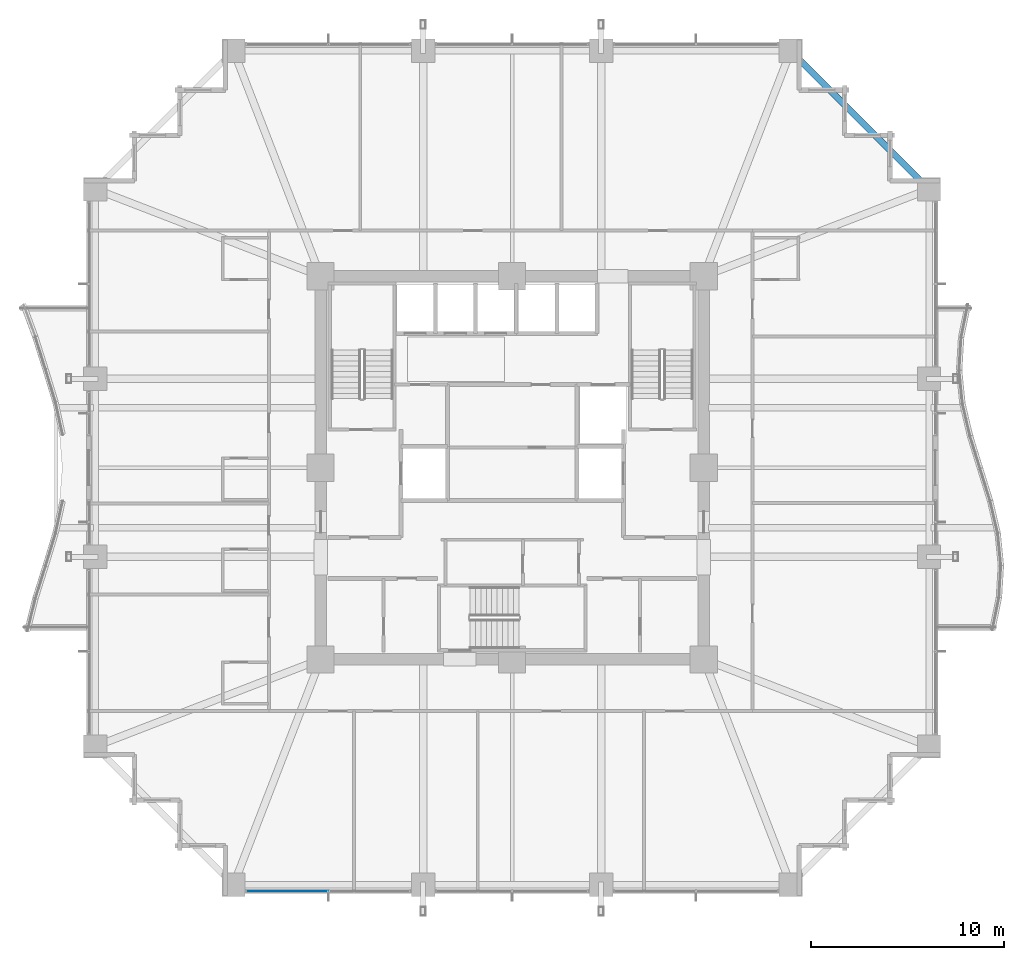
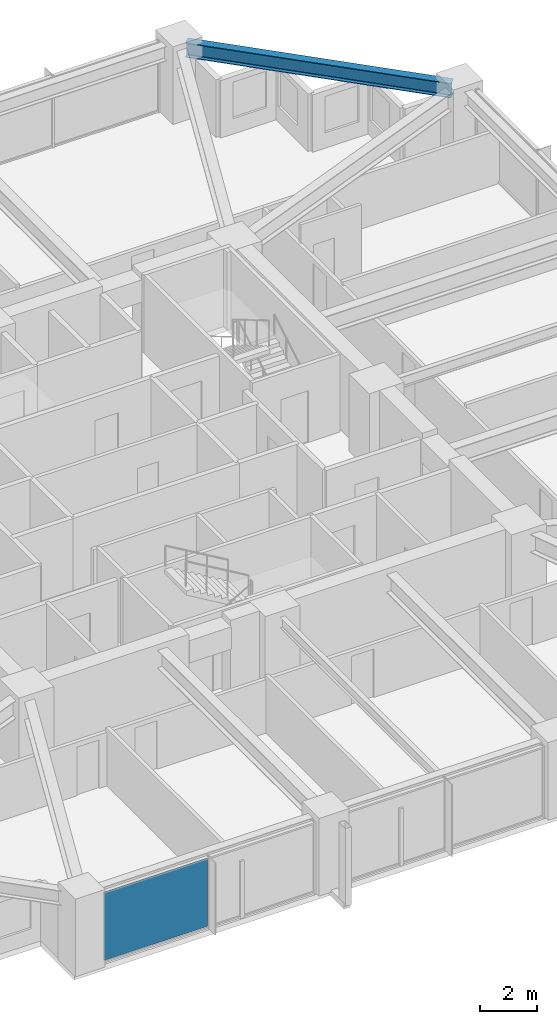
# One storey, part 25 of 36: 1 beam, 1 plate, 1 element without a shape of its own.
"""IFC4 building model written with IfcOpenShell, lengths in metres."""

from ifc_helpers import new_model, si_unit, direction, frame, origin, origin_2d, place, context, subcontext, project, spatial, rectangle, i_section, extrude, material, layer, layer_set, material_profile, profile_set, type_object, element, aggregate, save


model = new_model("IFC4")

# Units and contexts
model_context = context("Model", 3, precision=1e-05, world=origin(), true_north=direction((0.0, 1.0)))
body_context = subcontext(model_context, "Body", "Model", "MODEL_VIEW")
ifc_project = project(units=[si_unit("LENGTHUNIT", "METRE"), si_unit("AREAUNIT", "SQUARE_METRE"), si_unit("VOLUMEUNIT", "CUBIC_METRE"), si_unit("PLANEANGLEUNIT", "RADIAN"), si_unit("MASSUNIT", "GRAM", prefix="KILO")], contexts=[model_context])

# Site, building, storey
site_placement = place(None, origin())
site = spatial("IfcSite", under=ifc_project, at=site_placement, CompositionType="ELEMENT")
building_placement = place(site_placement, origin())
building = spatial("IfcBuilding", under=site, at=building_placement, Name="Kolvaren Belvedere", CompositionType="ELEMENT")
storey_placement = place(building_placement, frame((0.0, 0.0, 46.89990234375)))
storey = spatial("IfcBuildingStorey", under=building, at=storey_placement, Name="L13", CompositionType="ELEMENT", Elevation=46.89990234375)

# Beam
ifc_material_1 = material(Name="Structural steel ASTM A992 Grade 50", Category="steel")
ifc_material_profile = material_profile(ifc_material_1, i_section(OverallWidth=0.324951171875, OverallDepth=0.615966796875, WebThickness=0.013916015625, FlangeThickness=0.021484375, FilletRadius=0.02001953125, at=origin_2d()), Name="W24X117")
ifc_profile_set = profile_set([ifc_material_profile], Name="Structural steel ASTM A992 Grade 50")
beam_type = type_object("IfcBeamType", Name="BM-SPAN-W24X117", PredefinedType="SPANDREL", material=ifc_profile_set)
beam_placement = place(storey_placement, frame((21.359130859375, 14.5908203125, 2.752197265625), z_axis=(-0.707106781187, 0.707106781187, 0.0), x_axis=(-0.707106781187, -0.707106781187, 0.0)))
element("IfcBeam", 1, at=beam_placement, inside=storey, type_object=beam_type, Name="L13 Perimeter Spandrel E4-N4", PredefinedType="SPANDREL", context=body_context, shape_type="SweptSolid", body=[
    extrude(i_section(OverallWidth=0.324951171875, OverallDepth=0.615966796875, WebThickness=0.013916015625, FlangeThickness=0.021484375, FilletRadius=0.02001953125, at=origin_2d()), origin(), (0.0, 0.0, 1.0), 9.57177734375),
])

# Curtain wall, plate
ifc_material_2 = material(Name="Anodised pale-metal aluminium AA 6063-T6", Category="aluminium")
curtain_wall_type = type_object("IfcCurtainWallType", Name="CW-Z1-LOW", PredefinedType="NOTDEFINED", material=ifc_material_2)
curtain_wall_placement = place(storey_placement, origin())
curtain_wall = element("IfcCurtainWall", 2, at=curtain_wall_placement, inside=storey, type_object=curtain_wall_type, Name="L13 Unitised Curtain Wall FCW-L13-S-B3", PredefinedType="NOTDEFINED")
ifc_material_3 = material(Name="Low-iron triple insulated glass", Category="glass")
ifc_layer = layer(ifc_material_3, 0.028076171875)
ifc_layer_set = layer_set([ifc_layer], Name="Low-iron triple insulated glass")
plate_type = type_object("IfcPlateType", Name="CW-PNL-VIS28", PredefinedType="CURTAIN_PANEL", material=ifc_layer_set)
plate_placement = place(storey_placement, frame((-11.62255859375, -21.8798828125, 0.080078125), z_axis=(0.0, 0.0, 1.0), x_axis=(-1.0, 0.0, 0.0)))
plate = element("IfcPlate", 3, at=plate_placement, type_object=plate_type, Name="FCW-L13-S-B3 Vision Glazing Panel 2", PredefinedType="CURTAIN_PANEL", context=body_context, shape_type="SweptSolid", body=[
    extrude(rectangle(XDim=4.1650390625, YDim=0.028076171875, at=origin_2d()), origin(), (0.0, 0.0, 1.0), 2.89990234375),
])
aggregate(curtain_wall, [plate])

save(model, "model.ifc")
